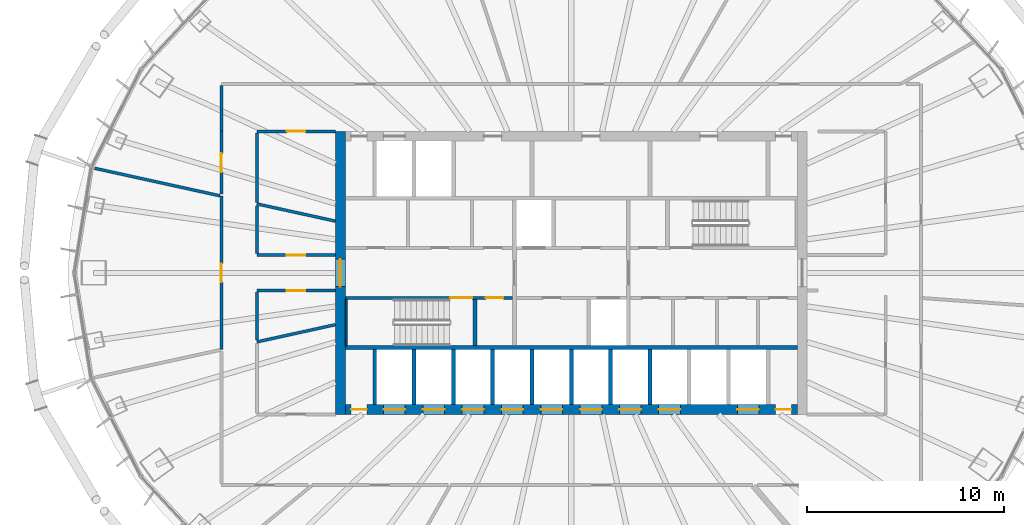
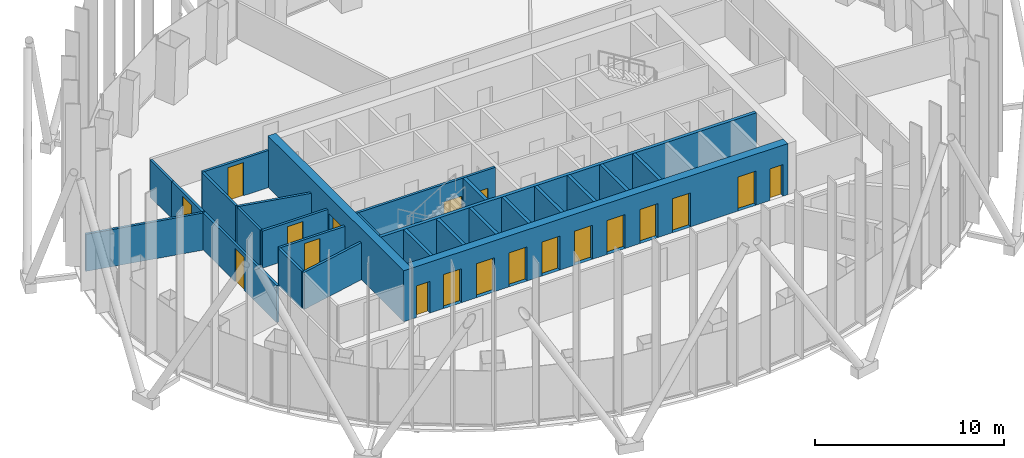
# One storey, part 8 of 19: 26 walls, 19 doors, 19 openings.
"""IFC4 building model written with IfcOpenShell, lengths in metres."""

import ifcopenshell
import ifcopenshell.guid

model = None  # the IFC model being written
_history = None  # IfcOwnerHistory: only IFC2X3 demands one
_inside = {}  # id of a spatial element -> (the spatial element, [elements in it])
_under = {}  # id of a project, library or spatial element -> (it, [spatial elements below it])
_declared = {}  # id of a project -> (the project, [libraries it declares])
_typed = {}  # id of a type object -> (the type object, [elements of that type])
_made_of = {}  # id of a material, layer set ... -> (it, [elements and type objects made of it])


def new_model(schema):
    """Start an empty IFC model of exactly this schema.

    Asked for "IFC4X3", IfcOpenShell would pick the latest addendum, in which some entities
    have other attributes; the version numbers below select the first issue.
    IFC2X3 requires an IfcOwnerHistory on every rooted entity: one is made here for all.
    """
    global model, _history
    if schema == "IFC4X3":
        model = ifcopenshell.file(schema_version=(4, 3, 0, 0))
    else:
        model = ifcopenshell.file(schema=schema)
    _inside.clear()
    _under.clear()
    _declared.clear()
    _typed.clear()
    _made_of.clear()
    _history = None
    if model.schema == "IFC2X3":
        org = make("IfcOrganization", Name="unknown")
        user = make(
            "IfcPersonAndOrganization",
            ThePerson=make("IfcPerson", FamilyName="unknown"),
            TheOrganization=org,
        )
        app = make(
            "IfcApplication",
            ApplicationDeveloper=org,
            Version="unknown",
            ApplicationFullName="unknown",
            ApplicationIdentifier="unknown",
        )
        _history = make(
            "IfcOwnerHistory",
            OwningUser=user,
            OwningApplication=app,
            ChangeAction="ADDED",
            CreationDate=0,
        )
    return model


def make(cls, **values):
    """One entity of the class cls with the attributes given. An attribute that is None is left unset."""
    return model.create_entity(
        cls, **{name: value for name, value in values.items() if value is not None}
    )


def rooted(cls, **values):
    """An entity with a GlobalId (a new one), such as an element, a storey or a relation."""
    return make(cls, GlobalId=ifcopenshell.guid.new(), OwnerHistory=_history, **values)


def si_unit(unit_type, name, prefix=None):
    """IfcSIUnit, for example si_unit("LENGTHUNIT", "METRE", prefix="MILLI")."""
    return make("IfcSIUnit", UnitType=unit_type, Prefix=prefix, Name=name)


def assignment(units):
    """IfcUnitAssignment: the units of a project."""
    return None if units is None else make("IfcUnitAssignment", Units=units)


def point(xyz):
    """IfcCartesianPoint."""
    return None if xyz is None else make("IfcCartesianPoint", Coordinates=xyz)


def direction(xyz):
    """IfcDirection."""
    return None if xyz is None else make("IfcDirection", DirectionRatios=xyz)


def frame(location, z_axis=None, x_axis=None):
    """IfcAxis2Placement3D, a coordinate frame: its origin and axes. An axis left out is left unset."""
    return make(
        "IfcAxis2Placement3D",
        Location=point(location),
        Axis=direction(z_axis),
        RefDirection=direction(x_axis),
    )


def frame_2d(location, x_axis=None):
    """IfcAxis2Placement2D, a coordinate frame in the plane: its origin and x axis."""
    return make(
        "IfcAxis2Placement2D", Location=point(location), RefDirection=direction(x_axis)
    )


def origin():
    """The frame at (0, 0, 0) with its axes left unset."""
    return frame((0.0, 0.0, 0.0))


def place(relative_to, where):
    """IfcLocalPlacement: puts the frame where relative to a parent placement (None: the world)."""
    return make(
        "IfcLocalPlacement", PlacementRelTo=relative_to, RelativePlacement=where
    )


def context(
    kind, dimensions, precision=None, world=None, true_north=None, identifier=None
):
    """IfcGeometricRepresentationContext, for example the 3D "Model" context."""
    return make(
        "IfcGeometricRepresentationContext",
        ContextIdentifier=identifier,
        ContextType=kind,
        CoordinateSpaceDimension=dimensions,
        Precision=precision,
        WorldCoordinateSystem=world,
        TrueNorth=true_north,
    )


def subcontext(parent, identifier, kind, view, scale=None):
    """IfcGeometricRepresentationSubContext, for example "Body" below "Model"."""
    return make(
        "IfcGeometricRepresentationSubContext",
        ContextIdentifier=identifier,
        ContextType=kind,
        ParentContext=parent,
        TargetScale=scale,
        TargetView=view,
    )


def project(units=None, contexts=None):
    """IfcProject with its units and contexts."""
    return rooted(
        "IfcProject",
        Name="project",
        RepresentationContexts=contexts,
        UnitsInContext=assignment(units),
    )


def spatial(cls, under=None, at=None, **own):
    """A site, building, storey or space (cls), placed at a placement, below another one or the project."""
    s = rooted(cls, ObjectPlacement=at, **own)
    if under is not None:
        _under.setdefault(under.id(), (under, []))[1].append(s)
    return s


def profile(cls, at=None, kind="AREA", **sizes):
    """A parametric profile (cls). Its sizes go by their IFC names, for example OverallWidth=200.0."""
    return make(cls, ProfileType=kind, Position=at, **sizes)


def rectangle(**sizes):
    """IfcRectangleProfileDef."""
    return profile("IfcRectangleProfileDef", **sizes)


def extrude(swept, where, along, depth):
    """IfcExtrudedAreaSolid: the profile swept, set in the frame where, extruded along a direction by depth."""
    return make(
        "IfcExtrudedAreaSolid",
        SweptArea=swept,
        Position=where,
        ExtrudedDirection=direction(along),
        Depth=depth,
    )


def shape(context_of_items, identifier, shape_type, items):
    """IfcShapeRepresentation: the items that make up one representation, for example the "Body"."""
    return make(
        "IfcShapeRepresentation",
        ContextOfItems=context_of_items,
        RepresentationIdentifier=identifier,
        RepresentationType=shape_type,
        Items=items,
    )


def material(Name=None, Category=None):
    """IfcMaterial."""
    return make("IfcMaterial", Name=Name, Category=Category)


def layer(
    of_material, thickness, ventilated=None, Name=None, Category=None, Priority=None
):
    """IfcMaterialLayer: one layer of a wall or slab, of a material (None: an air gap)."""
    return make(
        "IfcMaterialLayer",
        Material=of_material,
        LayerThickness=thickness,
        IsVentilated=ventilated,
        Name=Name,
        Category=Category,
        Priority=Priority,
    )


def layer_set(layers, Name=None):
    """IfcMaterialLayerSet."""
    return make("IfcMaterialLayerSet", MaterialLayers=layers, LayerSetName=Name)


def made_of(thing, what):
    """Note that an element or type object is made of a material, layer set ...; save() writes the relation."""
    if what is not None:
        _made_of.setdefault(what.id(), (what, []))[1].append(thing)
    return thing


def type_object(cls, material=None, **own):
    """A type object (cls), such as IfcWallType, which elements share."""
    return made_of(rooted(cls, **own), material)


def element(
    cls,
    number,
    at=None,
    inside=None,
    cuts=None,
    type_object=None,
    material=None,
    context=None,
    identifier="Body",
    shape_type=None,
    held_by="IfcProductDefinitionShape",
    body=None,
    shapes=None,
    **own,
):
    """One element of the class cls, such as IfcWall. Its Tag is "e" and its number.

    at: its placement. inside: the storey or other place that contains it. cuts: it is an
    opening in that element (IfcRelVoidsElement). A single representation is given by context,
    identifier, shape_type and body (its items); several are given by shapes. held_by: the class
    of the entity that holds the representations. save() writes the other relations.
    """
    e = rooted(cls, Tag="e%d" % number, ObjectPlacement=at, **own)
    if body is not None:
        shapes = [shape(context, identifier, shape_type, body)]
    if shapes is not None:
        e.Representation = make(held_by, Representations=shapes)
    if inside is not None:
        _inside.setdefault(inside.id(), (inside, []))[1].append(e)
    if cuts is not None:
        rooted(
            "IfcRelVoidsElement", RelatingBuildingElement=cuts, RelatedOpeningElement=e
        )
    if type_object is not None:
        _typed.setdefault(type_object.id(), (type_object, []))[1].append(e)
    return made_of(e, material)


def fill(opening, filler):
    """IfcRelFillsElement: the door or window that sits in an opening."""
    return rooted(
        "IfcRelFillsElement",
        RelatingOpeningElement=opening,
        RelatedBuildingElement=filler,
    )


def aggregate(whole, parts):
    """IfcRelAggregates: a whole, such as a stair, and the parts it consists of."""
    return rooted("IfcRelAggregates", RelatingObject=whole, RelatedObjects=parts)


def save(model, path):
    """Write the relations noted so far, then the file.

    IfcRelAggregates (storeys below a building ...), IfcRelContainedInSpatialStructure (elements
    in a storey), IfcRelDefinesByType, IfcRelAssociatesMaterial and IfcRelDeclares: one each for
    every whole, place, type object, material and project.
    """
    for whole, parts in _under.values():
        aggregate(whole, parts)
    for where, things in _inside.values():
        rooted(
            "IfcRelContainedInSpatialStructure",
            RelatedElements=things,
            RelatingStructure=where,
        )
    for kind, things in _typed.values():
        rooted("IfcRelDefinesByType", RelatedObjects=things, RelatingType=kind)
    for what, things in _made_of.values():
        rooted("IfcRelAssociatesMaterial", RelatedObjects=things, RelatingMaterial=what)
    for by, libraries in _declared.values():
        rooted("IfcRelDeclares", RelatingContext=by, RelatedDefinitions=libraries)
    model.write(path)


model = new_model("IFC4")

# Units and contexts
model_context = context("Model", 3, precision=1e-05, world=origin(), true_north=direction((0.0, 1.0)))
body_context = subcontext(model_context, "Body", "Model", "MODEL_VIEW")
ifc_project = project(units=[si_unit("LENGTHUNIT", "METRE"), si_unit("AREAUNIT", "SQUARE_METRE"), si_unit("VOLUMEUNIT", "CUBIC_METRE"), si_unit("PLANEANGLEUNIT", "RADIAN"), si_unit("MASSUNIT", "GRAM", prefix="KILO")], contexts=[model_context])

# Site, building, storey
site_placement = place(None, origin())
site = spatial("IfcSite", under=ifc_project, at=site_placement, CompositionType="ELEMENT")
building_placement = place(site_placement, origin())
building = spatial("IfcBuilding", under=site, at=building_placement, Name="Siaravel Broadcast Tower", CompositionType="ELEMENT")
storey_placement = place(building_placement, frame((0.0, 0.0, 119.300048828125)))
storey = spatial("IfcBuildingStorey", under=building, at=storey_placement, Name="L28", CompositionType="ELEMENT", Elevation=119.300048828125)

# Wall, opening, door
ifc_material_1 = material(Name="Concrete C60/75", Category="concrete")
ifc_layer_1 = layer(ifc_material_1, 0.5)
ifc_layer_set_1 = layer_set([ifc_layer_1], Name="Concrete C60/75")
wall_type_1 = type_object("IfcWallType", Name="Core wall 500", PredefinedType="SHEAR", material=ifc_layer_set_1)
wall_1_placement = place(storey_placement, frame((-11.75, -7.199951171875, 0.0), z_axis=(0.0, 0.0, 1.0), x_axis=(0.0, 1.0, 0.0)))
wall_1 = element("IfcWall", 1, at=wall_1_placement, inside=storey, type_object=wall_type_1, Name="L28 core wall OW", PredefinedType="SHEAR", context=body_context, shape_type="SweptSolid", body=[
    extrude(rectangle(XDim=14.39990234375, YDim=0.5, at=frame_2d((7.199951171875, 0.0))), origin(), (0.0, 0.0, 1.0), 3.300048828125),
])
opening_1_placement = place(wall_1_placement, frame((6.5, 0.0, 0.0)))
opening_1 = element("IfcOpeningElement", 2, at=opening_1_placement, cuts=wall_1, Name="Opening L28-DX-W", PredefinedType="OPENING", context=body_context, shape_type="SweptSolid", body=[
    extrude(rectangle(XDim=1.39990234375, YDim=2.199951171875, at=frame_2d((0.699951171875, 1.10009765625))), frame((0.0, 0.260009765625, 0.0), z_axis=(0.0, -1.0, 0.0), x_axis=(1.0, 0.0, 0.0)), (0.0, 0.0, 1.0), 0.52001953125),
])
ifc_material_2 = material(Name="Steel", Category="steel")
door_type_1 = type_object("IfcDoorType", Name="Core exit door 1400", OperationType="DOUBLE_DOOR_SINGLE_SWING", PredefinedType="DOOR", material=ifc_material_2)
door_1_placement = place(opening_1_placement, origin())
door_1 = element("IfcDoor", 3, at=door_1_placement, inside=storey, type_object=door_type_1, Name="L28 door DX-W", OperationType="DOUBLE_DOOR_SINGLE_SWING", OverallHeight=2.199951171875, OverallWidth=1.39990234375, PredefinedType="DOOR", context=body_context, shape_type="SweptSolid", body=[
    extrude(rectangle(XDim=1.39990234375, YDim=2.199951171875, at=frame_2d((0.699951171875, 1.10009765625))), frame((0.0, 0.02490234375, 0.0), z_axis=(0.0, -1.0, 0.0), x_axis=(1.0, 0.0, 0.0)), (0.0, 0.0, 1.0), 0.050048828125),
])
fill(opening_1, door_1)

# Wall, openings, doors
wall_2_placement = place(storey_placement, frame((-11.5, -6.949951171875, 0.0), z_axis=(0.0, 0.0, 1.0), x_axis=(1.0, 0.0, 0.0)))
wall_2 = element("IfcWall", 4, at=wall_2_placement, inside=storey, type_object=wall_type_1, Name="L28 core wall OS", PredefinedType="SHEAR", context=body_context, shape_type="SweptSolid", body=[
    extrude(rectangle(XDim=23.0, YDim=0.5, at=frame_2d((11.5, 0.0))), origin(), (0.0, 0.0, 1.0), 3.300048828125),
])
opening_2_placement = place(wall_2_placement, frame((1.949951171875, 0.0, 0.0)))
opening_2 = element("IfcOpeningElement", 5, at=opening_2_placement, cuts=wall_2, Name="Opening LD-LP1-L28", PredefinedType="OPENING", context=body_context, shape_type="SweptSolid", body=[
    extrude(rectangle(XDim=1.10009765625, YDim=2.199951171875, at=frame_2d((0.550048828125, 1.10009765625))), frame((0.0, 0.260009765625, 0.0), z_axis=(0.0, -1.0, 0.0), x_axis=(1.0, 0.0, 0.0)), (0.0, 0.0, 1.0), 0.52001953125),
])
opening_3_placement = place(wall_2_placement, frame((3.949951171875, 0.0, 0.0)))
opening_3 = element("IfcOpeningElement", 6, at=opening_3_placement, cuts=wall_2, Name="Opening LD-LP2-L28", PredefinedType="OPENING", context=body_context, shape_type="SweptSolid", body=[
    extrude(rectangle(XDim=1.10009765625, YDim=2.199951171875, at=frame_2d((0.550048828125, 1.10009765625))), frame((0.0, 0.260009765625, 0.0), z_axis=(0.0, -1.0, 0.0), x_axis=(1.0, 0.0, 0.0)), (0.0, 0.0, 1.0), 0.52001953125),
])
opening_4_placement = place(wall_2_placement, frame((5.949951171875, 0.0, 0.0)))
opening_4 = element("IfcOpeningElement", 7, at=opening_4_placement, cuts=wall_2, Name="Opening LD-LP3-L28", PredefinedType="OPENING", context=body_context, shape_type="SweptSolid", body=[
    extrude(rectangle(XDim=1.10009765625, YDim=2.199951171875, at=frame_2d((0.550048828125, 1.10009765625))), frame((0.0, 0.260009765625, 0.0), z_axis=(0.0, -1.0, 0.0), x_axis=(1.0, 0.0, 0.0)), (0.0, 0.0, 1.0), 0.52001953125),
])
opening_5_placement = place(wall_2_placement, frame((7.949951171875, 0.0, 0.0)))
opening_5 = element("IfcOpeningElement", 8, at=opening_5_placement, cuts=wall_2, Name="Opening LD-LP4-L28", PredefinedType="OPENING", context=body_context, shape_type="SweptSolid", body=[
    extrude(rectangle(XDim=1.10009765625, YDim=2.199951171875, at=frame_2d((0.550048828125, 1.10009765625))), frame((0.0, 0.260009765625, 0.0), z_axis=(0.0, -1.0, 0.0), x_axis=(1.0, 0.0, 0.0)), (0.0, 0.0, 1.0), 0.52001953125),
])
opening_6_placement = place(wall_2_placement, frame((9.949951171875, 0.0, 0.0)))
opening_6 = element("IfcOpeningElement", 9, at=opening_6_placement, cuts=wall_2, Name="Opening LD-LP5-L28", PredefinedType="OPENING", context=body_context, shape_type="SweptSolid", body=[
    extrude(rectangle(XDim=1.10009765625, YDim=2.199951171875, at=frame_2d((0.550048828125, 1.10009765625))), frame((0.0, 0.260009765625, 0.0), z_axis=(0.0, -1.0, 0.0), x_axis=(1.0, 0.0, 0.0)), (0.0, 0.0, 1.0), 0.52001953125),
])
opening_7_placement = place(wall_2_placement, frame((11.949951171875, 0.0, 0.0)))
opening_7 = element("IfcOpeningElement", 10, at=opening_7_placement, cuts=wall_2, Name="Opening LD-LP6-L28", PredefinedType="OPENING", context=body_context, shape_type="SweptSolid", body=[
    extrude(rectangle(XDim=1.10009765625, YDim=2.199951171875, at=frame_2d((0.550048828125, 1.10009765625))), frame((0.0, 0.260009765625, 0.0), z_axis=(0.0, -1.0, 0.0), x_axis=(1.0, 0.0, 0.0)), (0.0, 0.0, 1.0), 0.52001953125),
])
opening_8_placement = place(wall_2_placement, frame((13.949951171875, 0.0, 0.0)))
opening_8 = element("IfcOpeningElement", 11, at=opening_8_placement, cuts=wall_2, Name="Opening LD-LP7-L28", PredefinedType="OPENING", context=body_context, shape_type="SweptSolid", body=[
    extrude(rectangle(XDim=1.10009765625, YDim=2.199951171875, at=frame_2d((0.550048828125, 1.10009765625))), frame((0.0, 0.260009765625, 0.0), z_axis=(0.0, -1.0, 0.0), x_axis=(1.0, 0.0, 0.0)), (0.0, 0.0, 1.0), 0.52001953125),
])
opening_9_placement = place(wall_2_placement, frame((15.949951171875, 0.0, 0.0)))
opening_9 = element("IfcOpeningElement", 12, at=opening_9_placement, cuts=wall_2, Name="Opening LD-LP8-L28", PredefinedType="OPENING", context=body_context, shape_type="SweptSolid", body=[
    extrude(rectangle(XDim=1.10009765625, YDim=2.199951171875, at=frame_2d((0.550048828125, 1.10009765625))), frame((0.0, 0.260009765625, 0.0), z_axis=(0.0, -1.0, 0.0), x_axis=(1.0, 0.0, 0.0)), (0.0, 0.0, 1.0), 0.52001953125),
])
opening_10_placement = place(wall_2_placement, frame((19.949951171875, 0.0, 0.0)))
opening_10 = element("IfcOpeningElement", 13, at=opening_10_placement, cuts=wall_2, Name="Opening LD-SV1-L28", PredefinedType="OPENING", context=body_context, shape_type="SweptSolid", body=[
    extrude(rectangle(XDim=1.10009765625, YDim=2.199951171875, at=frame_2d((0.550048828125, 1.10009765625))), frame((0.0, 0.260009765625, 0.0), z_axis=(0.0, -1.0, 0.0), x_axis=(1.0, 0.0, 0.0)), (0.0, 0.0, 1.0), 0.52001953125),
])
opening_11_placement = place(wall_2_placement, frame((0.300048828125, 0.0, 0.0)))
opening_11 = element("IfcOpeningElement", 14, at=opening_11_placement, cuts=wall_2, Name="Opening L28-DRSW", PredefinedType="OPENING", context=body_context, shape_type="SweptSolid", body=[
    extrude(rectangle(XDim=0.800048828125, YDim=2.050048828125, at=frame_2d((0.39990234375, 1.02490234375))), frame((0.0, 0.260009765625, 0.0), z_axis=(0.0, -1.0, 0.0), x_axis=(1.0, 0.0, 0.0)), (0.0, 0.0, 1.0), 0.52001953125),
])
opening_12_placement = place(wall_2_placement, frame((21.89990234375, 0.0, 0.0)))
opening_12 = element("IfcOpeningElement", 15, at=opening_12_placement, cuts=wall_2, Name="Opening L28-DRSE", PredefinedType="OPENING", context=body_context, shape_type="SweptSolid", body=[
    extrude(rectangle(XDim=0.800048828125, YDim=2.050048828125, at=frame_2d((0.39990234375, 1.02490234375))), frame((0.0, 0.260009765625, 0.0), z_axis=(0.0, -1.0, 0.0), x_axis=(1.0, 0.0, 0.0)), (0.0, 0.0, 1.0), 0.52001953125),
])
ifc_material_3 = material(Name="Stainless steel 316L", Category="steel")
door_type_2 = type_object("IfcDoorType", Name="Lift landing door 1100", OperationType="DOUBLE_DOOR_SLIDING", PredefinedType="DOOR", material=ifc_material_3)
door_2_placement = place(opening_2_placement, origin())
door_2 = element("IfcDoor", 16, at=door_2_placement, inside=storey, type_object=door_type_2, Name="Landing door LP1 L28", OperationType="DOUBLE_DOOR_SLIDING", OverallHeight=2.199951171875, OverallWidth=1.10009765625, PredefinedType="DOOR", context=body_context, shape_type="SweptSolid", body=[
    extrude(rectangle(XDim=1.10009765625, YDim=2.199951171875, at=frame_2d((0.550048828125, 1.10009765625))), frame((0.0, 0.02490234375, 0.0), z_axis=(0.0, -1.0, 0.0), x_axis=(1.0, 0.0, 0.0)), (0.0, 0.0, 1.0), 0.050048828125),
])
fill(opening_2, door_2)
door_3_placement = place(opening_3_placement, origin())
door_3 = element("IfcDoor", 17, at=door_3_placement, inside=storey, type_object=door_type_2, Name="Landing door LP2 L28", OperationType="DOUBLE_DOOR_SLIDING", OverallHeight=2.199951171875, OverallWidth=1.10009765625, PredefinedType="DOOR", context=body_context, shape_type="SweptSolid", body=[
    extrude(rectangle(XDim=1.10009765625, YDim=2.199951171875, at=frame_2d((0.550048828125, 1.10009765625))), frame((0.0, 0.02490234375, 0.0), z_axis=(0.0, -1.0, 0.0), x_axis=(1.0, 0.0, 0.0)), (0.0, 0.0, 1.0), 0.050048828125),
])
fill(opening_3, door_3)
door_4_placement = place(opening_4_placement, origin())
door_4 = element("IfcDoor", 18, at=door_4_placement, inside=storey, type_object=door_type_2, Name="Landing door LP3 L28", OperationType="DOUBLE_DOOR_SLIDING", OverallHeight=2.199951171875, OverallWidth=1.10009765625, PredefinedType="DOOR", context=body_context, shape_type="SweptSolid", body=[
    extrude(rectangle(XDim=1.10009765625, YDim=2.199951171875, at=frame_2d((0.550048828125, 1.10009765625))), frame((0.0, 0.02490234375, 0.0), z_axis=(0.0, -1.0, 0.0), x_axis=(1.0, 0.0, 0.0)), (0.0, 0.0, 1.0), 0.050048828125),
])
fill(opening_4, door_4)
door_5_placement = place(opening_5_placement, origin())
door_5 = element("IfcDoor", 19, at=door_5_placement, inside=storey, type_object=door_type_2, Name="Landing door LP4 L28", OperationType="DOUBLE_DOOR_SLIDING", OverallHeight=2.199951171875, OverallWidth=1.10009765625, PredefinedType="DOOR", context=body_context, shape_type="SweptSolid", body=[
    extrude(rectangle(XDim=1.10009765625, YDim=2.199951171875, at=frame_2d((0.550048828125, 1.10009765625))), frame((0.0, 0.02490234375, 0.0), z_axis=(0.0, -1.0, 0.0), x_axis=(1.0, 0.0, 0.0)), (0.0, 0.0, 1.0), 0.050048828125),
])
fill(opening_5, door_5)
door_6_placement = place(opening_6_placement, origin())
door_6 = element("IfcDoor", 20, at=door_6_placement, inside=storey, type_object=door_type_2, Name="Landing door LP5 L28", OperationType="DOUBLE_DOOR_SLIDING", OverallHeight=2.199951171875, OverallWidth=1.10009765625, PredefinedType="DOOR", context=body_context, shape_type="SweptSolid", body=[
    extrude(rectangle(XDim=1.10009765625, YDim=2.199951171875, at=frame_2d((0.550048828125, 1.10009765625))), frame((0.0, 0.02490234375, 0.0), z_axis=(0.0, -1.0, 0.0), x_axis=(1.0, 0.0, 0.0)), (0.0, 0.0, 1.0), 0.050048828125),
])
fill(opening_6, door_6)
door_7_placement = place(opening_7_placement, origin())
door_7 = element("IfcDoor", 21, at=door_7_placement, inside=storey, type_object=door_type_2, Name="Landing door LP6 L28", OperationType="DOUBLE_DOOR_SLIDING", OverallHeight=2.199951171875, OverallWidth=1.10009765625, PredefinedType="DOOR", context=body_context, shape_type="SweptSolid", body=[
    extrude(rectangle(XDim=1.10009765625, YDim=2.199951171875, at=frame_2d((0.550048828125, 1.10009765625))), frame((0.0, 0.02490234375, 0.0), z_axis=(0.0, -1.0, 0.0), x_axis=(1.0, 0.0, 0.0)), (0.0, 0.0, 1.0), 0.050048828125),
])
fill(opening_7, door_7)
door_8_placement = place(opening_8_placement, origin())
door_8 = element("IfcDoor", 22, at=door_8_placement, inside=storey, type_object=door_type_2, Name="Landing door LP7 L28", OperationType="DOUBLE_DOOR_SLIDING", OverallHeight=2.199951171875, OverallWidth=1.10009765625, PredefinedType="DOOR", context=body_context, shape_type="SweptSolid", body=[
    extrude(rectangle(XDim=1.10009765625, YDim=2.199951171875, at=frame_2d((0.550048828125, 1.10009765625))), frame((0.0, 0.02490234375, 0.0), z_axis=(0.0, -1.0, 0.0), x_axis=(1.0, 0.0, 0.0)), (0.0, 0.0, 1.0), 0.050048828125),
])
fill(opening_8, door_8)
door_9_placement = place(opening_9_placement, origin())
door_9 = element("IfcDoor", 23, at=door_9_placement, inside=storey, type_object=door_type_2, Name="Landing door LP8 L28", OperationType="DOUBLE_DOOR_SLIDING", OverallHeight=2.199951171875, OverallWidth=1.10009765625, PredefinedType="DOOR", context=body_context, shape_type="SweptSolid", body=[
    extrude(rectangle(XDim=1.10009765625, YDim=2.199951171875, at=frame_2d((0.550048828125, 1.10009765625))), frame((0.0, 0.02490234375, 0.0), z_axis=(0.0, -1.0, 0.0), x_axis=(1.0, 0.0, 0.0)), (0.0, 0.0, 1.0), 0.050048828125),
])
fill(opening_9, door_9)
door_type_3 = type_object("IfcDoorType", Name="Riser door 800", OperationType="SINGLE_SWING_LEFT", PredefinedType="DOOR", material=ifc_material_2)
door_10_placement = place(opening_11_placement, origin())
door_10 = element("IfcDoor", 24, at=door_10_placement, inside=storey, type_object=door_type_3, Name="L28 door DRSW", OperationType="SINGLE_SWING_LEFT", OverallHeight=2.050048828125, OverallWidth=0.800048828125, PredefinedType="DOOR", context=body_context, shape_type="SweptSolid", body=[
    extrude(rectangle(XDim=0.800048828125, YDim=2.050048828125, at=frame_2d((0.39990234375, 1.02490234375))), frame((0.0, 0.02490234375, 0.0), z_axis=(0.0, -1.0, 0.0), x_axis=(1.0, 0.0, 0.0)), (0.0, 0.0, 1.0), 0.050048828125),
])
fill(opening_11, door_10)
door_11_placement = place(opening_12_placement, origin())
door_11 = element("IfcDoor", 25, at=door_11_placement, inside=storey, type_object=door_type_3, Name="L28 door DRSE", OperationType="SINGLE_SWING_LEFT", OverallHeight=2.050048828125, OverallWidth=0.800048828125, PredefinedType="DOOR", context=body_context, shape_type="SweptSolid", body=[
    extrude(rectangle(XDim=0.800048828125, YDim=2.050048828125, at=frame_2d((0.39990234375, 1.02490234375))), frame((0.0, 0.02490234375, 0.0), z_axis=(0.0, -1.0, 0.0), x_axis=(1.0, 0.0, 0.0)), (0.0, 0.0, 1.0), 0.050048828125),
])
fill(opening_12, door_11)
door_type_4 = type_object("IfcDoorType", Name="Service lift landing door 1100", OperationType="DOUBLE_DOOR_SLIDING", PredefinedType="DOOR", material=ifc_material_3)
door_12_placement = place(opening_10_placement, origin())
door_12 = element("IfcDoor", 26, at=door_12_placement, inside=storey, type_object=door_type_4, Name="Landing door SV1 L28", OperationType="DOUBLE_DOOR_SLIDING", OverallHeight=2.199951171875, OverallWidth=1.10009765625, PredefinedType="DOOR", context=body_context, shape_type="SweptSolid", body=[
    extrude(rectangle(XDim=1.10009765625, YDim=2.199951171875, at=frame_2d((0.550048828125, 1.10009765625))), frame((0.0, 0.02490234375, 0.0), z_axis=(0.0, -1.0, 0.0), x_axis=(1.0, 0.0, 0.0)), (0.0, 0.0, 1.0), 0.050048828125),
])
fill(opening_10, door_12)

# Wall, opening, door
ifc_material_4 = material(Name="Gypsum board partition", Category="gypsum")
ifc_layer_2 = layer(ifc_material_4, 0.14990234375)
ifc_layer_set_2 = layer_set([ifc_layer_2], Name="Gypsum board partition")
wall_type_2 = type_object("IfcWallType", Name="Corridor wall 150", PredefinedType="PARTITIONING", material=ifc_layer_set_2)
wall_3_placement = place(storey_placement, frame((-17.800048828125, 3.90673828125, 0.0), z_axis=(0.0, 0.0, 1.0), x_axis=(0.0, -1.0, 0.0)))
wall_3 = element("IfcWall", 27, at=wall_3_placement, inside=storey, type_object=wall_type_2, Name="L28 partition 10", PredefinedType="PARTITIONING", context=body_context, shape_type="SweptSolid", body=[
    extrude(rectangle(XDim=7.8134765625, YDim=0.14990234375, at=frame_2d((3.90673828125, 0.0))), origin(), (0.0, 0.0, 1.0), 2.39990234375),
])
opening_13_placement = place(wall_3_placement, frame((3.431640625, 0.0, 0.0)))
opening_13 = element("IfcOpeningElement", 28, at=opening_13_placement, cuts=wall_3, Name="Opening L28-010", PredefinedType="OPENING", context=body_context, shape_type="SweptSolid", body=[
    extrude(rectangle(XDim=0.949951171875, YDim=2.14990234375, at=frame_2d((0.47509765625, 1.074951171875))), frame((0.0, 0.0849609375, 0.0), z_axis=(0.0, -1.0, 0.0), x_axis=(1.0, 0.0, 0.0)), (0.0, 0.0, 1.0), 0.169921875),
])
ifc_material_5 = material(Name="Timber veneer", Category="wood")
door_type_5 = type_object("IfcDoorType", Name="Office door 950", OperationType="SINGLE_SWING_LEFT", PredefinedType="DOOR", material=ifc_material_5)
door_13_placement = place(opening_13_placement, origin())
door_13 = element("IfcDoor", 29, at=door_13_placement, inside=storey, type_object=door_type_5, Name="L28 door to Design studio", OperationType="SINGLE_SWING_RIGHT", OverallHeight=2.14990234375, OverallWidth=0.949951171875, PredefinedType="DOOR", context=body_context, shape_type="SweptSolid", body=[
    extrude(rectangle(XDim=0.949951171875, YDim=2.14990234375, at=frame_2d((0.47509765625, 1.074951171875))), frame((0.0, 0.02490234375, 0.0), z_axis=(0.0, -1.0, 0.0), x_axis=(1.0, 0.0, 0.0)), (0.0, 0.0, 1.0), 0.050048828125),
])
fill(opening_13, door_13)

wall_4_placement = place(storey_placement, frame((-16.0, -0.89990234375, 0.0), z_axis=(0.0, 0.0, 1.0), x_axis=(1.0, 0.0, 0.0)))
wall_4 = element("IfcWall", 30, at=wall_4_placement, inside=storey, type_object=wall_type_2, Name="L28 partition 25", PredefinedType="PARTITIONING", context=body_context, shape_type="SweptSolid", body=[
    extrude(rectangle(XDim=4.0, YDim=0.14990234375, at=frame_2d((2.0, 0.0))), origin(), (0.0, 0.0, 1.0), 2.39990234375),
])
opening_14_placement = place(wall_4_placement, frame((1.52490234375, 0.0, 0.0)))
opening_14 = element("IfcOpeningElement", 31, at=opening_14_placement, cuts=wall_4, Name="Opening L28-011", PredefinedType="OPENING", context=body_context, shape_type="SweptSolid", body=[
    extrude(rectangle(XDim=0.949951171875, YDim=2.14990234375, at=frame_2d((0.47509765625, 1.074951171875))), frame((0.0, 0.0849609375, 0.0), z_axis=(0.0, -1.0, 0.0), x_axis=(1.0, 0.0, 0.0)), (0.0, 0.0, 1.0), 0.169921875),
])
door_14_placement = place(opening_14_placement, origin())
door_14 = element("IfcDoor", 32, at=door_14_placement, inside=storey, type_object=door_type_5, Name="L28 door to Design studio", OperationType="SINGLE_SWING_LEFT", OverallHeight=2.14990234375, OverallWidth=0.949951171875, PredefinedType="DOOR", context=body_context, shape_type="SweptSolid", body=[
    extrude(rectangle(XDim=0.949951171875, YDim=2.14990234375, at=frame_2d((0.47509765625, 1.074951171875))), frame((0.0, 0.02490234375, 0.0), z_axis=(0.0, -1.0, 0.0), x_axis=(1.0, 0.0, 0.0)), (0.0, 0.0, 1.0), 0.050048828125),
])
fill(opening_14, door_14)

wall_5_placement = place(storey_placement, frame((-16.0, 7.199951171875, 0.0), z_axis=(0.0, 0.0, 1.0), x_axis=(1.0, 0.0, 0.0)))
wall_5 = element("IfcWall", 33, at=wall_5_placement, inside=storey, type_object=wall_type_2, Name="L28 partition 26", PredefinedType="PARTITIONING", context=body_context, shape_type="SweptSolid", body=[
    extrude(rectangle(XDim=4.0, YDim=0.14990234375, at=frame_2d((2.0, 0.0))), origin(), (0.0, 0.0, 1.0), 2.39990234375),
])
opening_15_placement = place(wall_5_placement, frame((1.52490234375, 0.0, 0.0)))
opening_15 = element("IfcOpeningElement", 34, at=opening_15_placement, cuts=wall_5, Name="Opening L28-007", PredefinedType="OPENING", context=body_context, shape_type="SweptSolid", body=[
    extrude(rectangle(XDim=0.949951171875, YDim=2.14990234375, at=frame_2d((0.47509765625, 1.074951171875))), frame((0.0, 0.0849609375, 0.0), z_axis=(0.0, -1.0, 0.0), x_axis=(1.0, 0.0, 0.0)), (0.0, 0.0, 1.0), 0.169921875),
])
door_15_placement = place(opening_15_placement, origin())
door_15 = element("IfcDoor", 35, at=door_15_placement, inside=storey, type_object=door_type_5, Name="L28 door to Design studio", OperationType="SINGLE_SWING_LEFT", OverallHeight=2.14990234375, OverallWidth=0.949951171875, PredefinedType="DOOR", context=body_context, shape_type="SweptSolid", body=[
    extrude(rectangle(XDim=0.949951171875, YDim=2.14990234375, at=frame_2d((0.47509765625, 1.074951171875))), frame((0.0, 0.02490234375, 0.0), z_axis=(0.0, -1.0, 0.0), x_axis=(1.0, 0.0, 0.0)), (0.0, 0.0, 1.0), 0.050048828125),
])
fill(opening_15, door_15)

wall_6_placement = place(storey_placement, frame((-12.0, 0.89990234375, 0.0), z_axis=(0.0, 0.0, 1.0), x_axis=(-1.0, 0.0, 0.0)))
wall_6 = element("IfcWall", 36, at=wall_6_placement, inside=storey, type_object=wall_type_2, Name="L28 partition 28", PredefinedType="PARTITIONING", context=body_context, shape_type="SweptSolid", body=[
    extrude(rectangle(XDim=4.0, YDim=0.14990234375, at=frame_2d((2.0, 0.0))), origin(), (0.0, 0.0, 1.0), 2.39990234375),
])
opening_16_placement = place(wall_6_placement, frame((1.52490234375, 0.0, 0.0)))
opening_16 = element("IfcOpeningElement", 37, at=opening_16_placement, cuts=wall_6, Name="Opening L28-012", PredefinedType="OPENING", context=body_context, shape_type="SweptSolid", body=[
    extrude(rectangle(XDim=0.949951171875, YDim=2.14990234375, at=frame_2d((0.47509765625, 1.074951171875))), frame((0.0, 0.0849609375, 0.0), z_axis=(0.0, -1.0, 0.0), x_axis=(1.0, 0.0, 0.0)), (0.0, 0.0, 1.0), 0.169921875),
])
door_16_placement = place(opening_16_placement, origin())
door_16 = element("IfcDoor", 38, at=door_16_placement, inside=storey, type_object=door_type_5, Name="L28 door to Design studio", OperationType="SINGLE_SWING_RIGHT", OverallHeight=2.14990234375, OverallWidth=0.949951171875, PredefinedType="DOOR", context=body_context, shape_type="SweptSolid", body=[
    extrude(rectangle(XDim=0.949951171875, YDim=2.14990234375, at=frame_2d((0.47509765625, 1.074951171875))), frame((0.0, 0.02490234375, 0.0), z_axis=(0.0, -1.0, 0.0), x_axis=(1.0, 0.0, 0.0)), (0.0, 0.0, 1.0), 0.050048828125),
])
fill(opening_16, door_16)

# Wall
wall_7_placement = place(storey_placement, frame((-16.0, 3.5869140625, 0.0), z_axis=(0.0, 0.0, 1.0), x_axis=(0.0, 1.0, 0.0)))
element("IfcWall", 39, at=wall_7_placement, inside=storey, type_object=wall_type_2, Name="L28 partition 33", PredefinedType="PARTITIONING", context=body_context, shape_type="SweptSolid", body=[
    extrude(rectangle(XDim=3.5361328125, YDim=0.14990234375, at=frame_2d((1.76806640625, 0.0))), origin(), (0.0, 0.0, 1.0), 2.39990234375),
])

# Wall, opening, door
wall_8_placement = place(storey_placement, frame((-17.800048828125, 7.2119140625, 0.0), z_axis=(0.0, 0.0, 1.0), x_axis=(0.0, -1.0, 0.0)))
wall_8 = element("IfcWall", 40, at=wall_8_placement, inside=storey, type_object=wall_type_2, Name="L28 partition 38", PredefinedType="PARTITIONING", context=body_context, shape_type="SweptSolid", body=[
    extrude(rectangle(XDim=3.2099609375, YDim=0.14990234375, at=frame_2d((1.60498046875, 0.0))), origin(), (0.0, 0.0, 1.0), 2.39990234375),
])
opening_17_placement = place(wall_8_placement, frame((1.1298828125, 0.0, 0.0)))
opening_17 = element("IfcOpeningElement", 41, at=opening_17_placement, cuts=wall_8, Name="Opening L28-009", PredefinedType="OPENING", context=body_context, shape_type="SweptSolid", body=[
    extrude(rectangle(XDim=0.949951171875, YDim=2.14990234375, at=frame_2d((0.47509765625, 1.074951171875))), frame((0.0, 0.0849609375, 0.0), z_axis=(0.0, -1.0, 0.0), x_axis=(1.0, 0.0, 0.0)), (0.0, 0.0, 1.0), 0.169921875),
])
door_17_placement = place(opening_17_placement, origin())
door_17 = element("IfcDoor", 42, at=door_17_placement, inside=storey, type_object=door_type_5, Name="L28 door to Design studio", OperationType="SINGLE_SWING_LEFT", OverallHeight=2.14990234375, OverallWidth=0.949951171875, PredefinedType="DOOR", context=body_context, shape_type="SweptSolid", body=[
    extrude(rectangle(XDim=0.949951171875, YDim=2.14990234375, at=frame_2d((0.47509765625, 1.074951171875))), frame((0.0, 0.02490234375, 0.0), z_axis=(0.0, -1.0, 0.0), x_axis=(1.0, 0.0, 0.0)), (0.0, 0.0, 1.0), 0.050048828125),
])
fill(opening_17, door_17)

# Walls
for number, where, z_axis, x_axis, name in (
    (43, (-16.0, -3.41650390625, 0.0), (0.0, 0.0, 1.0), (0.0, 1.0, 0.0), "L28 partition 39"),
    (44, (-16.0, 0.97705078125, 0.0), (0.0, 0.0, 1.0), (0.0, 1.0, 0.0), "L28 partition 40"),
):
    element("IfcWall", number, at=place(storey_placement, frame(where, z_axis=z_axis, x_axis=x_axis)), inside=storey, type_object=wall_type_2, Name=name, PredefinedType="PARTITIONING", context=body_context, shape_type="SweptSolid", body=[
        extrude(rectangle(XDim=2.439453125, YDim=0.14990234375, at=frame_2d((1.2197265625, 0.0))), origin(), (0.0, 0.0, 1.0), 2.39990234375),
    ])
wall_9_placement = place(storey_placement, frame((-17.800048828125, 9.52294921875, 0.0), z_axis=(0.0, 0.0, 1.0), x_axis=(0.0, -1.0, 0.0)))
element("IfcWall", 45, at=wall_9_placement, inside=storey, type_object=wall_type_2, Name="L28 partition 41", PredefinedType="PARTITIONING", context=body_context, shape_type="SweptSolid", body=[
    extrude(rectangle(XDim=2.31005859375, YDim=0.14990234375, at=frame_2d((1.155029296875, 0.0))), origin(), (0.0, 0.0, 1.0), 2.39990234375),
])
ifc_layer_3 = layer(ifc_material_4, 0.14990234375)
ifc_layer_set_3 = layer_set([ifc_layer_3], Name="Gypsum board partition")
wall_type_3 = type_object("IfcWallType", Name="Room partition 150", PredefinedType="PARTITIONING", material=ifc_layer_set_3)
wall_10_placement = place(storey_placement, frame((-24.24462890625, 5.3212890625, 0.0), z_axis=(0.0, 0.0, 1.0), x_axis=(0.976747402, -0.21439336, 0.0)))
element("IfcWall", 46, at=wall_10_placement, inside=storey, type_object=wall_type_3, Name="L28 partition 13", PredefinedType="PARTITIONING", context=body_context, shape_type="SweptSolid", body=[
    extrude(rectangle(XDim=6.522705078125, YDim=0.14990234375, at=frame_2d((3.26123046875, 0.0))), origin(), (0.0, 0.0, 1.0), 2.39990234375),
])
for number, where, z_axis, x_axis, name in (
    (47, (-16.0, -3.51171875, 0.0), (0.0, 0.0, 1.0), (0.976750433, 0.214379551, 0.0), "L28 partition 23"),
    (48, (-16.0, 3.51171875, 0.0), (0.0, 0.0, 1.0), (0.976750433, -0.214379551, 0.0), "L28 partition 24"),
):
    element("IfcWall", number, at=place(storey_placement, frame(where, z_axis=z_axis, x_axis=x_axis)), inside=storey, type_object=wall_type_3, Name=name, PredefinedType="PARTITIONING", context=body_context, shape_type="SweptSolid", body=[
        extrude(rectangle(XDim=4.09521484375, YDim=0.14990234375, at=frame_2d((2.047607421875, 0.0))), origin(), (0.0, 0.0, 1.0), 2.39990234375),
    ])
ifc_layer_4 = layer(ifc_material_1, 0.10009765625)
ifc_layer_set_4 = layer_set([ifc_layer_4], Name="Concrete C60/75")
wall_type_4 = type_object("IfcWallType", Name="Shaft wall 100", PredefinedType="SHEAR", material=ifc_layer_set_4)
wall_11_placement = place(storey_placement, frame((-11.449951171875, -3.699951171875, 0.0), z_axis=(0.0, 0.0, 1.0), x_axis=(0.0, 1.0, 0.0)))
element("IfcWall", 49, at=wall_11_placement, inside=storey, type_object=wall_type_4, Name="L28 core wall ST1W", PredefinedType="SHEAR", context=body_context, shape_type="SweptSolid", body=[
    extrude(rectangle(XDim=2.349853515625, YDim=0.10009765625, at=frame_2d((1.1748046875, 0.0))), origin(), (0.0, 0.0, 1.0), 3.300048828125),
])

# Wall, openings, doors
ifc_layer_5 = layer(ifc_material_1, 0.14990234375)
ifc_layer_set_5 = layer_set([ifc_layer_5], Name="Concrete C60/75")
wall_type_5 = type_object("IfcWallType", Name="Shaft wall 150", PredefinedType="SHEAR", material=ifc_layer_set_5)
wall_12_placement = place(storey_placement, frame((-11.5, -1.27490234375, 0.0), z_axis=(0.0, 0.0, 1.0), x_axis=(1.0, 0.0, 0.0)))
wall_12 = element("IfcWall", 50, at=wall_12_placement, inside=storey, type_object=wall_type_5, Name="L28 core wall CSW", PredefinedType="SHEAR", context=body_context, shape_type="SweptSolid", body=[
    extrude(rectangle(XDim=8.5, YDim=0.14990234375, at=frame_2d((4.25, 0.0))), origin(), (0.0, 0.0, 1.0), 3.300048828125),
])
opening_18_placement = place(wall_12_placement, frame((5.35009765625, 0.0, 0.0)))
opening_18 = element("IfcOpeningElement", 51, at=opening_18_placement, cuts=wall_12, Name="Opening L28-DS-1", PredefinedType="OPENING", context=body_context, shape_type="SweptSolid", body=[
    extrude(rectangle(XDim=1.10009765625, YDim=2.14990234375, at=frame_2d((0.550048828125, 1.074951171875))), frame((0.0, 0.0849609375, 0.0), z_axis=(0.0, -1.0, 0.0), x_axis=(1.0, 0.0, 0.0)), (0.0, 0.0, 1.0), 0.169921875),
])
opening_19_placement = place(wall_12_placement, frame((7.14990234375, 0.0, 0.0)))
opening_19 = element("IfcOpeningElement", 52, at=opening_19_placement, cuts=wall_12, Name="Opening L28-DSW0", PredefinedType="OPENING", context=body_context, shape_type="SweptSolid", body=[
    extrude(rectangle(XDim=0.89990234375, YDim=2.10009765625, at=frame_2d((0.449951171875, 1.050048828125))), frame((0.0, 0.0849609375, 0.0), z_axis=(0.0, -1.0, 0.0), x_axis=(1.0, 0.0, 0.0)), (0.0, 0.0, 1.0), 0.169921875),
])
door_type_6 = type_object("IfcDoorType", Name="Core room door 900", OperationType="SINGLE_SWING_LEFT", PredefinedType="DOOR", material=ifc_material_5)
door_18_placement = place(opening_19_placement, origin())
door_18 = element("IfcDoor", 53, at=door_18_placement, inside=storey, type_object=door_type_6, Name="L28 door DSW0", OperationType="SINGLE_SWING_LEFT", OverallHeight=2.10009765625, OverallWidth=0.89990234375, PredefinedType="DOOR", context=body_context, shape_type="SweptSolid", body=[
    extrude(rectangle(XDim=0.89990234375, YDim=2.10009765625, at=frame_2d((0.449951171875, 1.050048828125))), frame((0.0, 0.02490234375, 0.0), z_axis=(0.0, -1.0, 0.0), x_axis=(1.0, 0.0, 0.0)), (0.0, 0.0, 1.0), 0.050048828125),
])
fill(opening_19, door_18)
door_type_7 = type_object("IfcDoorType", Name="Stair door 1100", OperationType="SINGLE_SWING_LEFT", PredefinedType="DOOR", material=ifc_material_2)
door_19_placement = place(opening_18_placement, origin())
door_19 = element("IfcDoor", 54, at=door_19_placement, inside=storey, type_object=door_type_7, Name="L28 door DS-1", OperationType="SINGLE_SWING_LEFT", OverallHeight=2.14990234375, OverallWidth=1.10009765625, PredefinedType="DOOR", context=body_context, shape_type="SweptSolid", body=[
    extrude(rectangle(XDim=1.10009765625, YDim=2.14990234375, at=frame_2d((0.550048828125, 1.074951171875))), frame((0.0, 0.02490234375, 0.0), z_axis=(0.0, -1.0, 0.0), x_axis=(1.0, 0.0, 0.0)), (0.0, 0.0, 1.0), 0.050048828125),
])
fill(opening_18, door_19)

# Walls
ifc_layer_6 = layer(ifc_material_1, 0.199951171875)
ifc_layer_set_6 = layer_set([ifc_layer_6], Name="Concrete C60/75")
wall_type_6 = type_object("IfcWallType", Name="Shaft wall 200", PredefinedType="SHEAR", material=ifc_layer_set_6)
wall_13_placement = place(storey_placement, frame((-11.5, -3.800048828125, 0.0), z_axis=(0.0, 0.0, 1.0), x_axis=(1.0, 0.0, 0.0)))
element("IfcWall", 55, at=wall_13_placement, inside=storey, type_object=wall_type_6, Name="L28 core wall BS", PredefinedType="SHEAR", context=body_context, shape_type="SweptSolid", body=[
    extrude(rectangle(XDim=23.0, YDim=0.199951171875, at=frame_2d((11.5, 0.0))), origin(), (0.0, 0.0, 1.0), 3.300048828125),
])
for number, where, z_axis, x_axis, name in (
    (56, (-10.0, -6.699951171875, 0.0), (0.0, 0.0, 1.0), (0.0, 1.0, 0.0), "L28 core wall SWS0"),
    (57, (-8.0, -6.699951171875, 0.0), (0.0, 0.0, 1.0), (0.0, 1.0, 0.0), "L28 core wall SWS1"),
    (58, (-6.0, -6.699951171875, 0.0), (0.0, 0.0, 1.0), (0.0, 1.0, 0.0), "L28 core wall SWS2"),
    (59, (-4.0, -6.699951171875, 0.0), (0.0, 0.0, 1.0), (0.0, 1.0, 0.0), "L28 core wall SWS3"),
    (60, (-2.0, -6.699951171875, 0.0), (0.0, 0.0, 1.0), (0.0, 1.0, 0.0), "L28 core wall SWS4"),
    (61, (0.0, -6.699951171875, 0.0), (0.0, 0.0, 1.0), (0.0, 1.0, 0.0), "L28 core wall SWS5"),
    (62, (2.0, -6.699951171875, 0.0), (0.0, 0.0, 1.0), (0.0, 1.0, 0.0), "L28 core wall SWS6"),
    (63, (4.0, -6.699951171875, 0.0), (0.0, 0.0, 1.0), (0.0, 1.0, 0.0), "L28 core wall SWS7"),
):
    element("IfcWall", number, at=place(storey_placement, frame(where, z_axis=z_axis, x_axis=x_axis)), inside=storey, type_object=wall_type_6, Name=name, PredefinedType="SHEAR", context=body_context, shape_type="SweptSolid", body=[
        extrude(rectangle(XDim=2.800048828125, YDim=0.199951171875, at=frame_2d((1.39990234375, 0.0))), origin(), (0.0, 0.0, 1.0), 3.300048828125),
    ])
wall_14_placement = place(storey_placement, frame((-4.89990234375, -3.699951171875, 0.0), z_axis=(0.0, 0.0, 1.0), x_axis=(0.0, 1.0, 0.0)))
element("IfcWall", 64, at=wall_14_placement, inside=storey, type_object=wall_type_6, Name="L28 core wall ST1E", PredefinedType="SHEAR", context=body_context, shape_type="SweptSolid", body=[
    extrude(rectangle(XDim=2.349853515625, YDim=0.199951171875, at=frame_2d((1.1748046875, 0.0))), origin(), (0.0, 0.0, 1.0), 3.300048828125),
])

save(model, "model.ifc")
